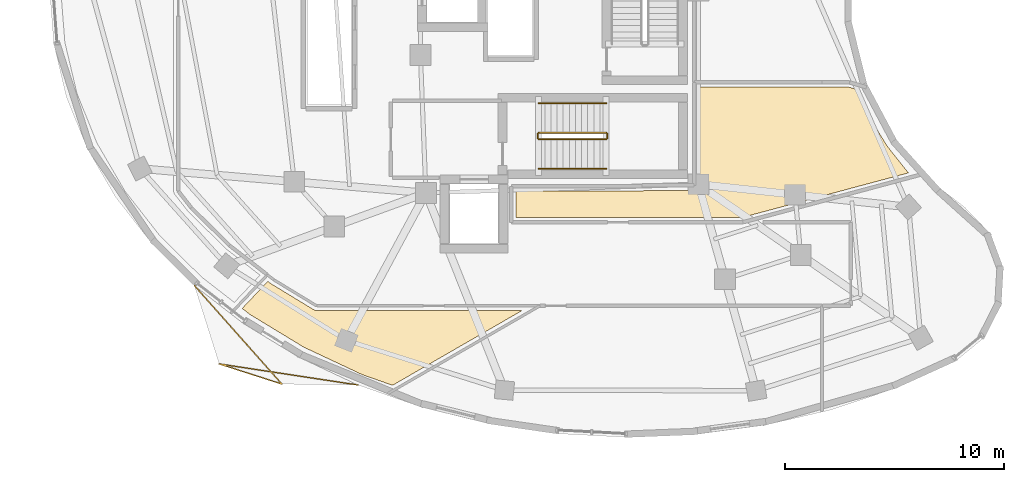
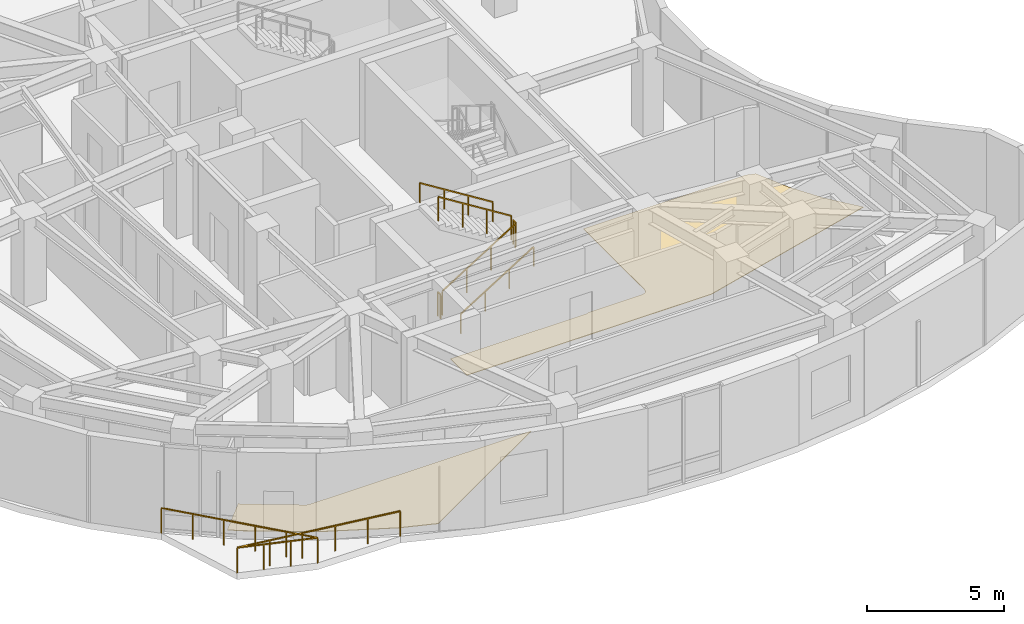
# One storey, part 11 of 13: 7 railings, 2 coverings.
"""IFC4 building model written with IfcOpenShell, lengths in metres."""

import ifcopenshell
import ifcopenshell.guid

model = None  # the IFC model being written
_history = None  # IfcOwnerHistory: only IFC2X3 demands one
_inside = {}  # id of a spatial element -> (the spatial element, [elements in it])
_under = {}  # id of a project, library or spatial element -> (it, [spatial elements below it])
_declared = {}  # id of a project -> (the project, [libraries it declares])
_typed = {}  # id of a type object -> (the type object, [elements of that type])
_made_of = {}  # id of a material, layer set ... -> (it, [elements and type objects made of it])


def new_model(schema):
    """Start an empty IFC model of exactly this schema.

    Asked for "IFC4X3", IfcOpenShell would pick the latest addendum, in which some entities
    have other attributes; the version numbers below select the first issue.
    IFC2X3 requires an IfcOwnerHistory on every rooted entity: one is made here for all.
    """
    global model, _history
    if schema == "IFC4X3":
        model = ifcopenshell.file(schema_version=(4, 3, 0, 0))
    else:
        model = ifcopenshell.file(schema=schema)
    _inside.clear()
    _under.clear()
    _declared.clear()
    _typed.clear()
    _made_of.clear()
    _history = None
    if model.schema == "IFC2X3":
        org = make("IfcOrganization", Name="unknown")
        user = make(
            "IfcPersonAndOrganization",
            ThePerson=make("IfcPerson", FamilyName="unknown"),
            TheOrganization=org,
        )
        app = make(
            "IfcApplication",
            ApplicationDeveloper=org,
            Version="unknown",
            ApplicationFullName="unknown",
            ApplicationIdentifier="unknown",
        )
        _history = make(
            "IfcOwnerHistory",
            OwningUser=user,
            OwningApplication=app,
            ChangeAction="ADDED",
            CreationDate=0,
        )
    return model


def make(cls, **values):
    """One entity of the class cls with the attributes given. An attribute that is None is left unset."""
    return model.create_entity(
        cls, **{name: value for name, value in values.items() if value is not None}
    )


def rooted(cls, **values):
    """An entity with a GlobalId (a new one), such as an element, a storey or a relation."""
    return make(cls, GlobalId=ifcopenshell.guid.new(), OwnerHistory=_history, **values)


def si_unit(unit_type, name, prefix=None):
    """IfcSIUnit, for example si_unit("LENGTHUNIT", "METRE", prefix="MILLI")."""
    return make("IfcSIUnit", UnitType=unit_type, Prefix=prefix, Name=name)


def assignment(units):
    """IfcUnitAssignment: the units of a project."""
    return None if units is None else make("IfcUnitAssignment", Units=units)


def point(xyz):
    """IfcCartesianPoint."""
    return None if xyz is None else make("IfcCartesianPoint", Coordinates=xyz)


def direction(xyz):
    """IfcDirection."""
    return None if xyz is None else make("IfcDirection", DirectionRatios=xyz)


def frame(location, z_axis=None, x_axis=None):
    """IfcAxis2Placement3D, a coordinate frame: its origin and axes. An axis left out is left unset."""
    return make(
        "IfcAxis2Placement3D",
        Location=point(location),
        Axis=direction(z_axis),
        RefDirection=direction(x_axis),
    )


def frame_2d(location, x_axis=None):
    """IfcAxis2Placement2D, a coordinate frame in the plane: its origin and x axis."""
    return make(
        "IfcAxis2Placement2D", Location=point(location), RefDirection=direction(x_axis)
    )


def origin():
    """The frame at (0, 0, 0) with its axes left unset."""
    return frame((0.0, 0.0, 0.0))


def origin_2d():
    """The frame at (0, 0) in the plane with its x axis left unset."""
    return frame_2d((0.0, 0.0))


def place(relative_to, where):
    """IfcLocalPlacement: puts the frame where relative to a parent placement (None: the world)."""
    return make(
        "IfcLocalPlacement", PlacementRelTo=relative_to, RelativePlacement=where
    )


def context(
    kind, dimensions, precision=None, world=None, true_north=None, identifier=None
):
    """IfcGeometricRepresentationContext, for example the 3D "Model" context."""
    return make(
        "IfcGeometricRepresentationContext",
        ContextIdentifier=identifier,
        ContextType=kind,
        CoordinateSpaceDimension=dimensions,
        Precision=precision,
        WorldCoordinateSystem=world,
        TrueNorth=true_north,
    )


def subcontext(parent, identifier, kind, view, scale=None):
    """IfcGeometricRepresentationSubContext, for example "Body" below "Model"."""
    return make(
        "IfcGeometricRepresentationSubContext",
        ContextIdentifier=identifier,
        ContextType=kind,
        ParentContext=parent,
        TargetScale=scale,
        TargetView=view,
    )


def project(units=None, contexts=None):
    """IfcProject with its units and contexts."""
    return rooted(
        "IfcProject",
        Name="project",
        RepresentationContexts=contexts,
        UnitsInContext=assignment(units),
    )


def spatial(cls, under=None, at=None, **own):
    """A site, building, storey or space (cls), placed at a placement, below another one or the project."""
    s = rooted(cls, ObjectPlacement=at, **own)
    if under is not None:
        _under.setdefault(under.id(), (under, []))[1].append(s)
    return s


def polyline(points):
    """IfcPolyline through the points."""
    return make("IfcPolyline", Points=[point(p) for p in points])


def profile(cls, at=None, kind="AREA", **sizes):
    """A parametric profile (cls). Its sizes go by their IFC names, for example OverallWidth=200.0."""
    return make(cls, ProfileType=kind, Position=at, **sizes)


def rectangle(**sizes):
    """IfcRectangleProfileDef."""
    return profile("IfcRectangleProfileDef", **sizes)


def outline(outer, holes=None, kind="AREA"):
    """IfcArbitraryClosedProfileDef: a profile drawn as a closed curve; with holes, ...WithVoids."""
    if holes is None:
        return make("IfcArbitraryClosedProfileDef", ProfileType=kind, OuterCurve=outer)
    return make(
        "IfcArbitraryProfileDefWithVoids",
        ProfileType=kind,
        OuterCurve=outer,
        InnerCurves=holes,
    )


def extrude(swept, where, along, depth):
    """IfcExtrudedAreaSolid: the profile swept, set in the frame where, extruded along a direction by depth."""
    return make(
        "IfcExtrudedAreaSolid",
        SweptArea=swept,
        Position=where,
        ExtrudedDirection=direction(along),
        Depth=depth,
    )


def shape(context_of_items, identifier, shape_type, items):
    """IfcShapeRepresentation: the items that make up one representation, for example the "Body"."""
    return make(
        "IfcShapeRepresentation",
        ContextOfItems=context_of_items,
        RepresentationIdentifier=identifier,
        RepresentationType=shape_type,
        Items=items,
    )


def material(Name=None, Category=None):
    """IfcMaterial."""
    return make("IfcMaterial", Name=Name, Category=Category)


def layer(
    of_material, thickness, ventilated=None, Name=None, Category=None, Priority=None
):
    """IfcMaterialLayer: one layer of a wall or slab, of a material (None: an air gap)."""
    return make(
        "IfcMaterialLayer",
        Material=of_material,
        LayerThickness=thickness,
        IsVentilated=ventilated,
        Name=Name,
        Category=Category,
        Priority=Priority,
    )


def layer_set(layers, Name=None):
    """IfcMaterialLayerSet."""
    return make("IfcMaterialLayerSet", MaterialLayers=layers, LayerSetName=Name)


def made_of(thing, what):
    """Note that an element or type object is made of a material, layer set ...; save() writes the relation."""
    if what is not None:
        _made_of.setdefault(what.id(), (what, []))[1].append(thing)
    return thing


def type_object(cls, material=None, **own):
    """A type object (cls), such as IfcWallType, which elements share."""
    return made_of(rooted(cls, **own), material)


def element(
    cls,
    number,
    at=None,
    inside=None,
    cuts=None,
    type_object=None,
    material=None,
    context=None,
    identifier="Body",
    shape_type=None,
    held_by="IfcProductDefinitionShape",
    body=None,
    shapes=None,
    **own,
):
    """One element of the class cls, such as IfcWall. Its Tag is "e" and its number.

    at: its placement. inside: the storey or other place that contains it. cuts: it is an
    opening in that element (IfcRelVoidsElement). A single representation is given by context,
    identifier, shape_type and body (its items); several are given by shapes. held_by: the class
    of the entity that holds the representations. save() writes the other relations.
    """
    e = rooted(cls, Tag="e%d" % number, ObjectPlacement=at, **own)
    if body is not None:
        shapes = [shape(context, identifier, shape_type, body)]
    if shapes is not None:
        e.Representation = make(held_by, Representations=shapes)
    if inside is not None:
        _inside.setdefault(inside.id(), (inside, []))[1].append(e)
    if cuts is not None:
        rooted(
            "IfcRelVoidsElement", RelatingBuildingElement=cuts, RelatedOpeningElement=e
        )
    if type_object is not None:
        _typed.setdefault(type_object.id(), (type_object, []))[1].append(e)
    return made_of(e, material)


def aggregate(whole, parts):
    """IfcRelAggregates: a whole, such as a stair, and the parts it consists of."""
    return rooted("IfcRelAggregates", RelatingObject=whole, RelatedObjects=parts)


def save(model, path):
    """Write the relations noted so far, then the file.

    IfcRelAggregates (storeys below a building ...), IfcRelContainedInSpatialStructure (elements
    in a storey), IfcRelDefinesByType, IfcRelAssociatesMaterial and IfcRelDeclares: one each for
    every whole, place, type object, material and project.
    """
    for whole, parts in _under.values():
        aggregate(whole, parts)
    for where, things in _inside.values():
        rooted(
            "IfcRelContainedInSpatialStructure",
            RelatedElements=things,
            RelatingStructure=where,
        )
    for kind, things in _typed.values():
        rooted("IfcRelDefinesByType", RelatedObjects=things, RelatingType=kind)
    for what, things in _made_of.values():
        rooted("IfcRelAssociatesMaterial", RelatedObjects=things, RelatingMaterial=what)
    for by, libraries in _declared.values():
        rooted("IfcRelDeclares", RelatingContext=by, RelatedDefinitions=libraries)
    model.write(path)


model = new_model("IFC4")

# Units and contexts
model_context = context("Model", 3, precision=1e-05, world=origin(), true_north=direction((0.0, 1.0)))
body_context = subcontext(model_context, "Body", "Model", "MODEL_VIEW")
ifc_project = project(units=[si_unit("LENGTHUNIT", "METRE"), si_unit("AREAUNIT", "SQUARE_METRE"), si_unit("VOLUMEUNIT", "CUBIC_METRE"), si_unit("PLANEANGLEUNIT", "RADIAN"), si_unit("MASSUNIT", "GRAM", prefix="KILO")], contexts=[model_context])

# Site, building, storey
site_placement = place(None, origin())
site = spatial("IfcSite", under=ifc_project, at=site_placement, CompositionType="ELEMENT")
building_placement = place(site_placement, origin())
building = spatial("IfcBuilding", under=site, at=building_placement, Name="Korentha Bioscience Tower", CompositionType="ELEMENT")
storey_placement = place(building_placement, frame((0.0, 0.0, 273.0)))
storey = spatial("IfcBuildingStorey", under=building, at=storey_placement, Name="L63", CompositionType="ELEMENT", Elevation=273.0)

# Railings
ifc_material_1 = material(Name="Stainless Steel 304", Category="steel")
railing_type_1 = type_object("IfcRailingType", Name="Brushed Stainless Stair Handrail 900", PredefinedType="HANDRAIL", material=ifc_material_1)
railing_1_placement = place(storey_placement, frame((30.25, 18.85009765625, 0.175048828125)))
element("IfcRailing", 1, at=railing_1_placement, inside=storey, type_object=railing_type_1, Name="L63 ST-2 stair handrail 1", PredefinedType="HANDRAIL", context=body_context, shape_type="SweptSolid", body=[
    extrude(rectangle(XDim=0.048095703125, YDim=0.048095703125, at=origin_2d()), frame((0.0, 0.0, 0.8759765625), z_axis=(0.847998304005, 0.0, 0.529998940003), x_axis=(0.0, 1.0, 0.0)), (0.0, 0.0, 1.0), 3.632080078125),
    extrude(rectangle(XDim=0.0419921875, YDim=0.0419921875, at=origin_2d()), origin(), (0.0, 0.0, 1.0), 0.851806640625),
    extrude(rectangle(XDim=0.0419921875, YDim=0.0419921875, at=origin_2d()), frame((1.026611328125, 0.0, 0.6416015625)), (0.0, 0.0, 1.0), 0.851806640625),
    extrude(rectangle(XDim=0.0419921875, YDim=0.0419921875, at=origin_2d()), frame((2.053466796875, 0.0, 1.283447265625)), (0.0, 0.0, 1.0), 0.851806640625),
    extrude(rectangle(XDim=0.0419921875, YDim=0.0419921875, at=origin_2d()), frame((3.080078125, 0.0, 1.925048828125)), (0.0, 0.0, 1.0), 0.851806640625),
])
railing_2_placement = place(storey_placement, frame((33.330078125, 21.85009765625, 2.27490234375)))
element("IfcRailing", 2, at=railing_2_placement, inside=storey, type_object=railing_type_1, Name="L63 ST-2 stair handrail 2", PredefinedType="HANDRAIL", context=body_context, shape_type="SweptSolid", body=[
    extrude(rectangle(XDim=0.048095703125, YDim=0.048095703125, at=origin_2d()), frame((0.0, 0.0, 0.8759765625), z_axis=(-0.847998304005, 0.0, 0.529998940003), x_axis=(0.0, -1.0, 0.0)), (0.0, 0.0, 1.0), 3.632080078125),
    extrude(rectangle(XDim=0.0419921875, YDim=0.0419921875, at=origin_2d()), origin(), (0.0, 0.0, 1.0), 0.851806640625),
    extrude(rectangle(XDim=0.0419921875, YDim=0.0419921875, at=origin_2d()), frame((-1.026611328125, 0.0, 0.6416015625)), (0.0, 0.0, 1.0), 0.851806640625),
    extrude(rectangle(XDim=0.0419921875, YDim=0.0419921875, at=origin_2d()), frame((-2.053466796875, 0.0, 1.283447265625)), (0.0, 0.0, 1.0), 0.851806640625),
    extrude(rectangle(XDim=0.0419921875, YDim=0.0419921875, at=origin_2d()), frame((-3.080078125, 0.0, 1.925048828125)), (0.0, 0.0, 1.0), 0.851806640625),
])

# Coverings
ifc_material_2 = material(Name="Honed Travertine Limestone", Category="masonry")
ifc_layer = layer(ifc_material_2, 0.02490234375, Name="Honed Travertine Limestone")
ifc_layer_set = layer_set([ifc_layer], Name="Honed Travertine Limestone (FL-STN)")
covering_type = type_object("IfcCoveringType", Name="Honed Travertine Lobby Stone Flooring 25", PredefinedType="FLOORING", material=ifc_layer_set)
covering_1_placement = place(storey_placement, origin())
element("IfcCovering", 3, at=covering_1_placement, inside=storey, type_object=covering_type, Name="L63 Research Colloquium Seminar Room 01 Floor Finish", PredefinedType="FLOORING", context=body_context, shape_type="SweptSolid", body=[
    extrude(outline(polyline([(18.015625, 13.608154296875), (19.99462890625, 12.403564453125), (20.083251953125, 12.3720703125), (29.4814453125, 12.3701171875), (23.57666015625, 8.9609375), (22.189697265625, 9.447998046875), (19.515625, 10.705078125), (17.060791015625, 12.197509765625), (16.70556640625, 12.47265625), (17.88037109375, 13.712890625), (18.015625, 13.608154296875)])), origin(), (0.0, 0.0, 1.0), 0.02490234375),
])
covering_2_placement = place(storey_placement, origin())
element("IfcCovering", 4, at=covering_2_placement, inside=storey, type_object=covering_type, Name="L63 Biospecimen Archive Store 03 Floor Finish", PredefinedType="FLOORING", context=body_context, shape_type="SweptSolid", body=[
    extrude(outline(polyline([(34.97705078125, 17.827880859375), (35.107177734375, 17.8701171875), (37.36181640625, 17.870361328125), (37.46875, 17.903076171875), (37.547607421875, 17.982177734375), (37.580078125, 18.10009765625), (37.580078125, 22.577880859375), (44.431396484375, 22.577880859375), (44.797607421875, 22.470458984375), (45.406982421875, 21.13916015625), (46.175537109375, 19.884521484375), (47.14404296875, 18.663818359375), (39.553955078125, 16.6298828125), (29.219970703125, 16.6298828125), (29.219970703125, 17.827880859375), (34.97705078125, 17.827880859375)])), origin(), (0.0, 0.0, 1.0), 0.02490234375),
])

# Railings
ifc_material_3 = material(Name="Laminated Tempered Safety Glass", Category="glass")
railing_type_2 = type_object("IfcRailingType", Name="Laminated Glass Balcony Guardrail 1150", PredefinedType="BALUSTRADE", material=ifc_material_3)
railing_3_placement = place(storey_placement, frame((14.52392578125, 13.517822265625, 0.0)))
element("IfcRailing", 5, at=railing_3_placement, inside=storey, type_object=railing_type_2, Name="L63 Balcony Guardrail 03", PredefinedType="BALUSTRADE", context=body_context, shape_type="SweptSolid", body=[
    extrude(rectangle(XDim=0.048095703125, YDim=0.048095703125, at=origin_2d()), frame((0.0, 0.0, 1.1259765625), z_axis=(0.663928247731, -0.747796283666, 0.0), x_axis=(0.747796283666, 0.663928247731, 0.0)), (0.0, 0.0, 1.0), 6.02001953125),
    extrude(rectangle(XDim=0.048095703125, YDim=0.048095703125, at=origin_2d()), frame((3.996826171875, -4.501708984375, 1.1259765625), z_axis=(-0.951836900962, 0.306604817259, 0.0), x_axis=(-0.306604817259, -0.951836900962, 0.0)), (0.0, 0.0, 1.0), 3.011474609375),
    extrude(rectangle(XDim=0.048095703125, YDim=0.048095703125, at=origin_2d()), frame((1.13037109375, -3.578369140625, 1.1259765625), z_axis=(0.988646385673, -0.150260853505, 0.0), x_axis=(0.150260853505, 0.988646385673, 0.0)), (0.0, 0.0, 1.0), 6.41455078125),
    extrude(rectangle(XDim=0.0419921875, YDim=0.0419921875, at=origin_2d()), origin(), (0.0, 0.0, 1.0), 1.101806640625),
    extrude(rectangle(XDim=0.0419921875, YDim=0.0419921875, at=origin_2d()), frame((0.79931640625, -0.900390625, 0.0)), (0.0, 0.0, 1.0), 1.101806640625),
    extrude(rectangle(XDim=0.0419921875, YDim=0.0419921875, at=origin_2d()), frame((1.5986328125, -1.80078125, 0.0)), (0.0, 0.0, 1.0), 1.101806640625),
    extrude(rectangle(XDim=0.0419921875, YDim=0.0419921875, at=origin_2d()), frame((2.398193359375, -2.700927734375, 0.0)), (0.0, 0.0, 1.0), 1.101806640625),
    extrude(rectangle(XDim=0.0419921875, YDim=0.0419921875, at=origin_2d()), frame((3.197509765625, -3.601318359375, 0.0)), (0.0, 0.0, 1.0), 1.101806640625),
    extrude(rectangle(XDim=0.0419921875, YDim=0.0419921875, at=origin_2d()), frame((3.996826171875, -4.501708984375, 0.0)), (0.0, 0.0, 1.0), 1.101806640625),
    extrude(rectangle(XDim=0.0419921875, YDim=0.0419921875, at=origin_2d()), frame((3.041259765625, -4.19384765625, 0.0)), (0.0, 0.0, 1.0), 1.101806640625),
    extrude(rectangle(XDim=0.0419921875, YDim=0.0419921875, at=origin_2d()), frame((2.0859375, -3.88623046875, 0.0)), (0.0, 0.0, 1.0), 1.101806640625),
    extrude(rectangle(XDim=0.0419921875, YDim=0.0419921875, at=origin_2d()), frame((1.13037109375, -3.578369140625, 0.0)), (0.0, 0.0, 1.0), 1.101806640625),
    extrude(rectangle(XDim=0.0419921875, YDim=0.0419921875, at=origin_2d()), frame((2.398681640625, -3.771240234375, 0.0)), (0.0, 0.0, 1.0), 1.101806640625),
    extrude(rectangle(XDim=0.0419921875, YDim=0.0419921875, at=origin_2d()), frame((3.6669921875, -3.9638671875, 0.0)), (0.0, 0.0, 1.0), 1.101806640625),
    extrude(rectangle(XDim=0.0419921875, YDim=0.0419921875, at=origin_2d()), frame((4.935546875, -4.15673828125, 0.0)), (0.0, 0.0, 1.0), 1.101806640625),
    extrude(rectangle(XDim=0.0419921875, YDim=0.0419921875, at=origin_2d()), frame((6.203857421875, -4.349365234375, 0.0)), (0.0, 0.0, 1.0), 1.101806640625),
    extrude(rectangle(XDim=0.0419921875, YDim=0.0419921875, at=origin_2d()), frame((7.47216796875, -4.542236328125, 0.0)), (0.0, 0.0, 1.0), 1.101806640625),
])
ifc_material_4 = material(Name="Painted Steel S275", Category="steel")
railing_type_3 = type_object("IfcRailingType", Name="Painted Steel Stair Well Guardrail 1100", PredefinedType="GUARDRAIL", material=ifc_material_4)
railing_4_placement = place(storey_placement, frame((30.25, 20.199951171875, 0.175048828125)))
element("IfcRailing", 6, at=railing_4_placement, inside=storey, type_object=railing_type_3, Name="L63 ST-2 stair guard 1", PredefinedType="GUARDRAIL", context=body_context, shape_type="SweptSolid", body=[
    extrude(rectangle(XDim=0.048095703125, YDim=0.048095703125, at=origin_2d()), frame((0.0, 0.0, 1.076171875), z_axis=(0.847998304005, 0.0, 0.529998940003), x_axis=(0.0, 1.0, 0.0)), (0.0, 0.0, 1.0), 3.632080078125),
    extrude(rectangle(XDim=0.0419921875, YDim=0.0419921875, at=origin_2d()), origin(), (0.0, 0.0, 1.0), 1.052001953125),
    extrude(rectangle(XDim=0.0419921875, YDim=0.0419921875, at=origin_2d()), frame((1.026611328125, 0.0, 0.6416015625)), (0.0, 0.0, 1.0), 1.052001953125),
    extrude(rectangle(XDim=0.0419921875, YDim=0.0419921875, at=origin_2d()), frame((2.053466796875, 0.0, 1.283447265625)), (0.0, 0.0, 1.0), 1.052001953125),
    extrude(rectangle(XDim=0.0419921875, YDim=0.0419921875, at=origin_2d()), frame((3.080078125, 0.0, 1.925048828125)), (0.0, 0.0, 1.0), 1.052001953125),
])
railing_5_placement = place(storey_placement, frame((33.3798828125, 20.25, 2.10009765625)))
element("IfcRailing", 7, at=railing_5_placement, inside=storey, type_object=railing_type_3, Name="L63 ST-2 stair guard 2", PredefinedType="GUARDRAIL", context=body_context, shape_type="SweptSolid", body=[
    extrude(rectangle(XDim=0.048095703125, YDim=0.048095703125, at=origin_2d()), frame((0.0, 0.0, 1.076171875), z_axis=(0.0, 1.0, 0.0), x_axis=(-1.0, 0.0, 0.0)), (0.0, 0.0, 1.0), 0.199951171875),
    extrude(rectangle(XDim=0.0419921875, YDim=0.0419921875, at=origin_2d()), origin(), (0.0, 0.0, 1.0), 1.052001953125),
    extrude(rectangle(XDim=0.0419921875, YDim=0.0419921875, at=origin_2d()), frame((0.0, 0.199951171875, 0.0)), (0.0, 0.0, 1.0), 1.052001953125),
])
railing_6_placement = place(storey_placement, frame((33.330078125, 20.5, 2.27490234375)))
element("IfcRailing", 8, at=railing_6_placement, inside=storey, type_object=railing_type_3, Name="L63 ST-2 stair guard 3", PredefinedType="GUARDRAIL", context=body_context, shape_type="SweptSolid", body=[
    extrude(rectangle(XDim=0.048095703125, YDim=0.048095703125, at=origin_2d()), frame((0.0, 0.0, 1.076171875), z_axis=(-0.847998304005, 0.0, 0.529998940003), x_axis=(0.0, -1.0, 0.0)), (0.0, 0.0, 1.0), 3.632080078125),
    extrude(rectangle(XDim=0.0419921875, YDim=0.0419921875, at=origin_2d()), origin(), (0.0, 0.0, 1.0), 1.052001953125),
    extrude(rectangle(XDim=0.0419921875, YDim=0.0419921875, at=origin_2d()), frame((-1.026611328125, 0.0, 0.6416015625)), (0.0, 0.0, 1.0), 1.052001953125),
    extrude(rectangle(XDim=0.0419921875, YDim=0.0419921875, at=origin_2d()), frame((-2.053466796875, 0.0, 1.283447265625)), (0.0, 0.0, 1.0), 1.052001953125),
    extrude(rectangle(XDim=0.0419921875, YDim=0.0419921875, at=origin_2d()), frame((-3.080078125, 0.0, 1.925048828125)), (0.0, 0.0, 1.0), 1.052001953125),
])
railing_7_placement = place(storey_placement, frame((30.199951171875, 20.25, 0.0)))
element("IfcRailing", 9, at=railing_7_placement, inside=storey, type_object=railing_type_3, Name="L63 ST-2 stair guard 4", PredefinedType="GUARDRAIL", context=body_context, shape_type="SweptSolid", body=[
    extrude(rectangle(XDim=0.048095703125, YDim=0.048095703125, at=origin_2d()), frame((0.0, 0.0, 1.076171875), z_axis=(0.0, 1.0, 0.0), x_axis=(-1.0, 0.0, 0.0)), (0.0, 0.0, 1.0), 0.199951171875),
    extrude(rectangle(XDim=0.0419921875, YDim=0.0419921875, at=origin_2d()), origin(), (0.0, 0.0, 1.0), 1.052001953125),
    extrude(rectangle(XDim=0.0419921875, YDim=0.0419921875, at=origin_2d()), frame((0.0, 0.199951171875, 0.0)), (0.0, 0.0, 1.0), 1.052001953125),
])

save(model, "model.ifc")
